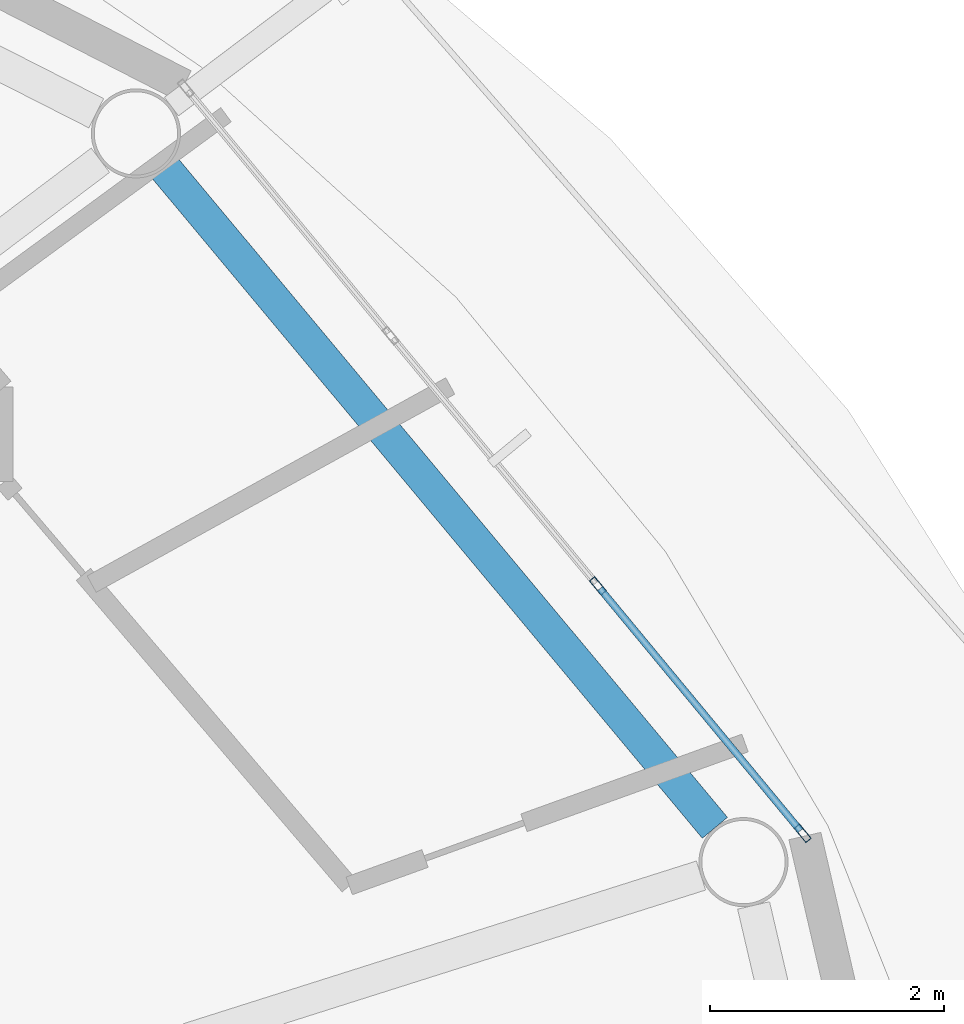
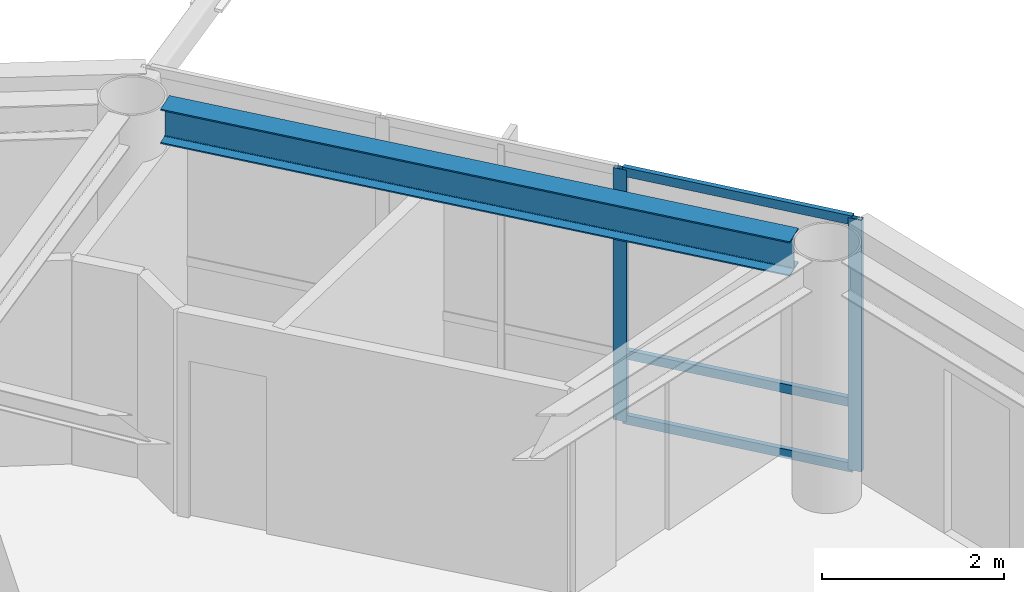
# One storey, part 7 of 23: 5 members, 1 beam, 1 element without a shape of its own.
"""IFC4 building model written with IfcOpenShell, lengths in metres."""

from ifc_helpers import new_model, si_unit, direction, frame, origin, origin_2d, place, context, subcontext, project, spatial, hollow_rectangle, i_section, extrude, material, layer, layer_set, material_profile, profile_set, type_object, element, aggregate, save


model = new_model("IFC4")

# Units and contexts
model_context = context("Model", 3, precision=1e-05, world=origin(), true_north=direction((0.0, 1.0)))
body_context = subcontext(model_context, "Body", "Model", "MODEL_VIEW")
ifc_project = project(units=[si_unit("LENGTHUNIT", "METRE"), si_unit("AREAUNIT", "SQUARE_METRE"), si_unit("VOLUMEUNIT", "CUBIC_METRE"), si_unit("PLANEANGLEUNIT", "RADIAN"), si_unit("MASSUNIT", "GRAM", prefix="KILO")], contexts=[model_context])

# Site, building, storey
site_placement = place(None, origin())
site = spatial("IfcSite", under=ifc_project, at=site_placement, CompositionType="ELEMENT")
building_placement = place(site_placement, origin())
building = spatial("IfcBuilding", under=site, at=building_placement, Name="Sarneth Arch Tower", CompositionType="ELEMENT")
storey_placement = place(building_placement, frame((0.0, 0.0, 276.60009765625)))
storey = spatial("IfcBuildingStorey", under=building, at=storey_placement, Name="L71", CompositionType="ELEMENT", Elevation=276.60009765625)

# Beam
ifc_material_1 = material(Name="Steel S355", Category="steel")
ifc_material_profile_1 = material_profile(ifc_material_1, i_section(OverallWidth=0.280029296875, OverallDepth=0.462890625, WebThickness=0.0107421875, FlangeThickness=0.017333984375, FilletRadius=0.01806640625, at=origin_2d()), Name="W460x113")
ifc_profile_set_1 = profile_set([ifc_material_profile_1], Name="Steel S355")
beam_type = type_object("IfcBeamType", Name="BM-RAD-460A", PredefinedType="BEAM", material=ifc_profile_set_1)
beam_placement = place(storey_placement, frame((70.9248046875, 49.64013671875, 3.138427734375), z_axis=(-0.640377192996, 0.768060577487, 0.0), x_axis=(-0.768060577487, -0.640377192996, 0.0)))
element("IfcBeam", 1, at=beam_placement, inside=storey, type_object=beam_type, Name="L71 Perimeter spandrel beam 02", PredefinedType="BEAM", context=body_context, shape_type="SweptSolid", body=[
    extrude(i_section(OverallWidth=0.280029296875, OverallDepth=0.462890625, WebThickness=0.0107421875, FlangeThickness=0.017333984375, FilletRadius=0.01806640625, at=origin_2d()), origin(), (0.0, 0.0, 1.0), 7.34814453125),
])

# Curtain wall, members
ifc_material_2 = material(Name="Anodised aluminium Type AA25 and solar-control low-e laminated IGU", Category="aluminium")
ifc_layer = layer(ifc_material_2, 0.179931640625)
ifc_layer_set = layer_set([ifc_layer], Name="Anodised aluminium Type AA25 and solar-control low-e laminated IGU")
curtain_wall_type = type_object("IfcCurtainWallType", Name="CW-RES-HIGH", PredefinedType="NOTDEFINED", material=ifc_layer_set)
curtain_wall_placement = place(storey_placement, origin())
curtain_wall = element("IfcCurtainWall", 2, at=curtain_wall_placement, inside=storey, type_object=curtain_wall_type, Name="L71 Unitised curtain wall facet 02", PredefinedType="NOTDEFINED")
ifc_material_3 = material(Name="Anodised Aluminium 6063-T6", Category="aluminium")
ifc_material_profile_2 = material_profile(ifc_material_3, hollow_rectangle(XDim=0.06005859375, YDim=0.159912109375, WallThickness=0.00390625, at=origin_2d()), Name="AL-MULL-160x60x4")
ifc_profile_set_2 = profile_set([ifc_material_profile_2], Name="Anodised Aluminium 6063-T6")
member_type_1 = type_object("IfcMemberType", Name="CW-MULLION", PredefinedType="MULLION", material=ifc_profile_set_2)
member_1_placement = place(storey_placement, frame((71.674560546875, 49.592529296875, 0.0), z_axis=(0.0, 0.0, 1.0), x_axis=(-0.770359245933, -0.637610094184, 0.0)))
member_1 = element("IfcMember", 3, at=member_1_placement, type_object=member_type_1, Name="CW-SYS-6 mullion 1", PredefinedType="MULLION", context=body_context, shape_type="SweptSolid", body=[
    extrude(hollow_rectangle(XDim=0.06005859375, YDim=0.159912109375, WallThickness=0.00390625, at=origin_2d()), origin(), (0.0, 0.0, 1.0), 3.369873046875),
])
member_2_placement = place(storey_placement, frame((69.92333984375, 51.70849609375, 0.0), z_axis=(0.0, 0.0, 1.0), x_axis=(-0.770359245933, -0.637610094184, 0.0)))
member_2 = element("IfcMember", 4, at=member_2_placement, type_object=member_type_1, Name="CW-SYS-6 mullion 2", PredefinedType="MULLION", context=body_context, shape_type="SweptSolid", body=[
    extrude(hollow_rectangle(XDim=0.06005859375, YDim=0.159912109375, WallThickness=0.00390625, at=origin_2d()), origin(), (0.0, 0.0, 1.0), 3.369873046875),
])
ifc_material_4 = material(Name="Anodised Aluminium 6063-T6", Category="aluminium")
ifc_material_profile_3 = material_profile(ifc_material_4, hollow_rectangle(XDim=0.06005859375, YDim=0.1201171875, WallThickness=0.00390625, at=origin_2d()), Name="AL-TRAN-120x60x4")
ifc_profile_set_3 = profile_set([ifc_material_profile_3], Name="Anodised Aluminium 6063-T6")
member_type_2 = type_object("IfcMemberType", Name="CW-TRANSOM", PredefinedType="USERDEFINED", material=ifc_profile_set_3)
member_3_placement = place(storey_placement, frame((71.655517578125, 49.61572265625, 0.02978515625), z_axis=(-0.637651400067, 0.770325056059, 0.0), x_axis=(-0.770325056059, -0.637651400067, 0.0)))
member_3 = element("IfcMember", 5, at=member_3_placement, type_object=member_type_2, Name="CW-SYS-6 transom 1.1", ObjectType="TRANSOM", PredefinedType="USERDEFINED", context=body_context, shape_type="SweptSolid", body=[
    extrude(hollow_rectangle(XDim=0.06005859375, YDim=0.1201171875, WallThickness=0.00390625, at=origin_2d()), origin(), (0.0, 0.0, 1.0), 2.6865234375),
])
member_4_placement = place(storey_placement, frame((71.655517578125, 49.61572265625, 0.89990234375), z_axis=(-0.637651400067, 0.770325056059, 0.0), x_axis=(-0.770325056059, -0.637651400067, 0.0)))
member_4 = element("IfcMember", 6, at=member_4_placement, type_object=member_type_2, Name="CW-SYS-6 transom 1.2", ObjectType="TRANSOM", PredefinedType="USERDEFINED", context=body_context, shape_type="SweptSolid", body=[
    extrude(hollow_rectangle(XDim=0.06005859375, YDim=0.1201171875, WallThickness=0.00390625, at=origin_2d()), origin(), (0.0, 0.0, 1.0), 2.6865234375),
])
member_5_placement = place(storey_placement, frame((71.655517578125, 49.61572265625, 3.33984375), z_axis=(-0.637651400067, 0.770325056059, 0.0), x_axis=(-0.770325056059, -0.637651400067, 0.0)))
member_5 = element("IfcMember", 7, at=member_5_placement, type_object=member_type_2, Name="CW-SYS-6 transom 1.3", ObjectType="TRANSOM", PredefinedType="USERDEFINED", context=body_context, shape_type="SweptSolid", body=[
    extrude(hollow_rectangle(XDim=0.06005859375, YDim=0.1201171875, WallThickness=0.00390625, at=origin_2d()), origin(), (0.0, 0.0, 1.0), 2.6865234375),
])
aggregate(curtain_wall, [member_1, member_2, member_3, member_4, member_5])

save(model, "model.ifc")
